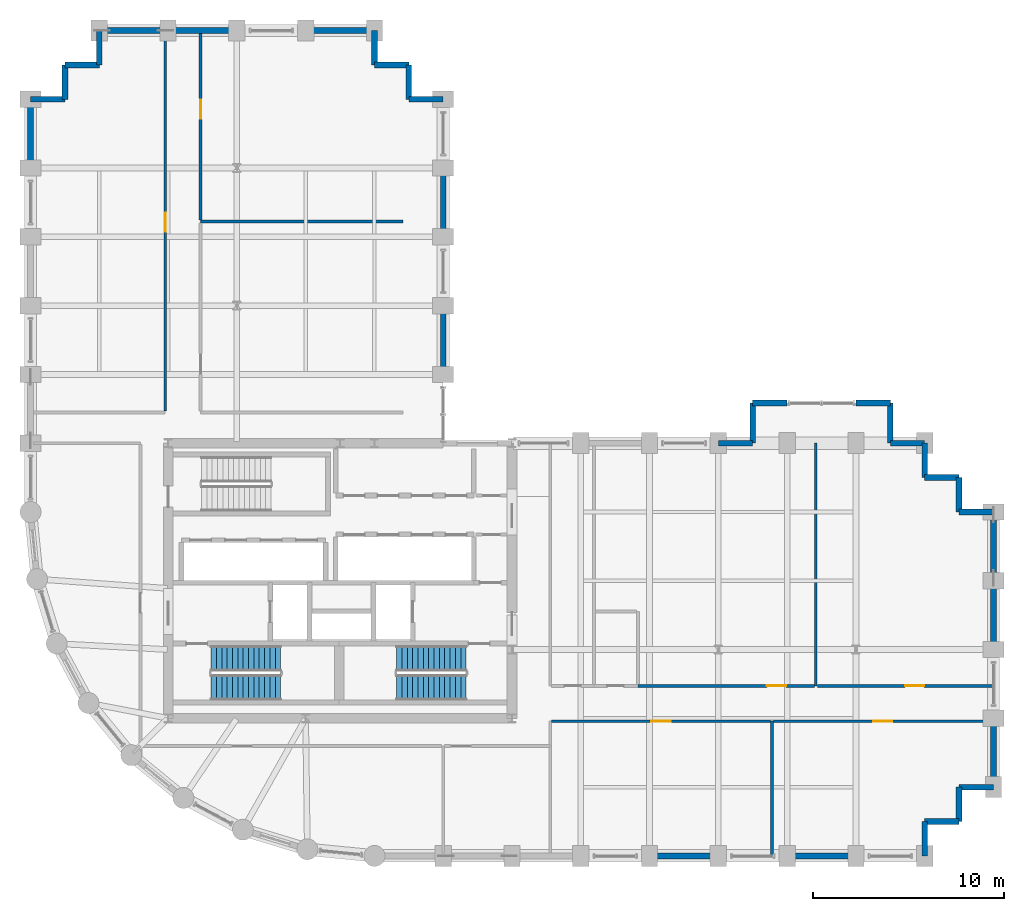
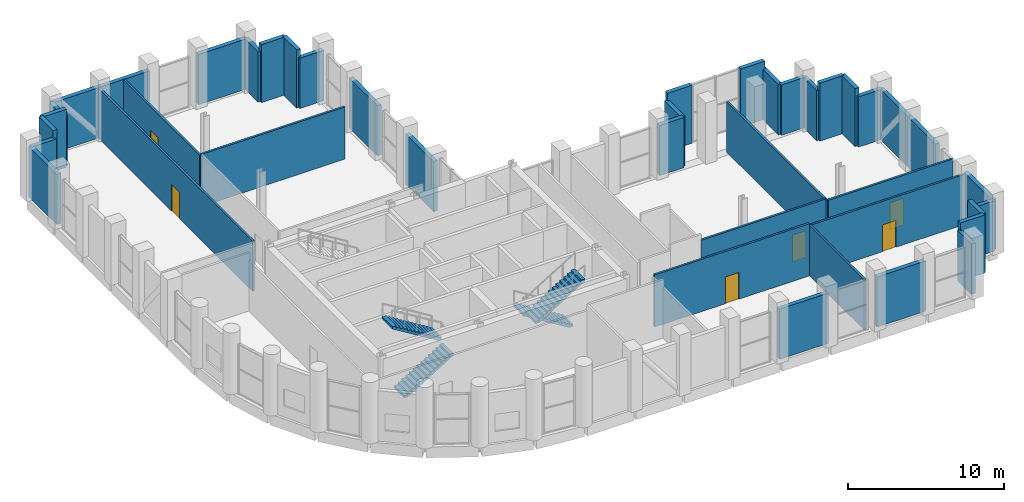
# One storey, part 20 of 22: 42 walls, 6 doors, 4 stair flights, 6 openings, 2 elements without a shape of their own.
"""IFC4 building model written with IfcOpenShell, lengths in metres."""

from ifc_helpers import new_model, si_unit, direction, frame, frame_2d, origin, place, context, subcontext, project, spatial, polyline, rectangle, outline, extrude, material, layer, layer_set, type_object, element, fill, aggregate, save


model = new_model("IFC4")

# Units and contexts
model_context = context("Model", 3, precision=1e-05, world=origin(), true_north=direction((0.0, 1.0)))
body_context = subcontext(model_context, "Body", "Model", "MODEL_VIEW")
ifc_project = project(units=[si_unit("LENGTHUNIT", "METRE"), si_unit("AREAUNIT", "SQUARE_METRE"), si_unit("VOLUMEUNIT", "CUBIC_METRE"), si_unit("PLANEANGLEUNIT", "RADIAN"), si_unit("MASSUNIT", "GRAM", prefix="KILO")], contexts=[model_context])

# Site, building, storey
site_placement = place(None, origin())
site = spatial("IfcSite", under=ifc_project, at=site_placement, CompositionType="ELEMENT")
building_placement = place(site_placement, origin())
building = spatial("IfcBuilding", under=site, at=building_placement, Name="Solnavia Interchange Tower", CompositionType="ELEMENT")
storey_placement = place(building_placement, frame((0.0, 0.0, 115.199951171875)))
storey = spatial("IfcBuildingStorey", under=building, at=storey_placement, Name="L28", CompositionType="ELEMENT", Elevation=115.199951171875)

# Walls
ifc_material_1 = material(Name="Concrete C40/50", Category="concrete")
ifc_layer_1 = layer(ifc_material_1, 0.300048828125)
ifc_layer_set_1 = layer_set([ifc_layer_1], Name="Concrete C40/50")
wall_type_1 = type_object("IfcWallType", Name="Wall-ExtSpandrel-300", PredefinedType="STANDARD", material=ifc_layer_set_1)
for number, where, z_axis, x_axis, name in (
    (1, (43.199951171875, 3.60009765625, 0.0), (0.0, 0.0, 1.0), (-1.0, 0.0, 0.0), "EXW-L28-05 Exterior precast spandrel wall"),
    (2, (50.39990234375, 3.60009765625, 0.0), (0.0, 0.0, 1.0), (-1.0, 0.0, 0.0), "EXW-L28-07 Exterior precast spandrel wall"),
):
    element("IfcWall", number, at=place(storey_placement, frame(where, z_axis=z_axis, x_axis=x_axis)), inside=storey, type_object=wall_type_1, Name=name, PredefinedType="STANDARD", context=body_context, shape_type="SweptSolid", body=[
        extrude(rectangle(XDim=3.599853515625, YDim=0.300048828125, at=frame_2d((1.7998046875, 0.0))), origin(), (0.0, 0.0, 1.0), 3.929931640625),
    ])
wall_1_placement = place(storey_placement, frame((54.0, 5.39990234375, 0.0), z_axis=(0.0, 0.0, 1.0), x_axis=(0.0, -1.0, 0.0)))
element("IfcWall", 3, at=wall_1_placement, inside=storey, type_object=wall_type_1, Name="EXW-L28-09 Exterior precast spandrel wall", PredefinedType="STANDARD", context=body_context, shape_type="SweptSolid", body=[
    extrude(rectangle(XDim=1.7998046875, YDim=0.300048828125, at=frame_2d((0.89990234375, 0.0))), origin(), (0.0, 0.0, 1.0), 3.929931640625),
])
for number, where, z_axis, x_axis, name in (
    (4, (55.800048828125, 5.39990234375, 0.0), (0.0, 0.0, 1.0), (-1.0, 0.0, 0.0), "EXW-L28-10 Exterior precast spandrel wall"),
    (5, (55.800048828125, 7.199951171875, 0.0), (0.0, 0.0, 1.0), (0.0, -1.0, 0.0), "EXW-L28-11 Exterior precast spandrel wall"),
):
    element("IfcWall", number, at=place(storey_placement, frame(where, z_axis=z_axis, x_axis=x_axis)), inside=storey, type_object=wall_type_1, Name=name, PredefinedType="STANDARD", context=body_context, shape_type="SweptSolid", body=[
        extrude(rectangle(XDim=1.800048828125, YDim=0.300048828125, at=frame_2d((0.89990234375, 0.0))), origin(), (0.0, 0.0, 1.0), 4.53515625),
    ])
wall_2_placement = place(storey_placement, frame((57.60009765625, 7.199951171875, 0.0), z_axis=(0.0, 0.0, 1.0), x_axis=(-1.0, 0.0, 0.0)))
element("IfcWall", 6, at=wall_2_placement, inside=storey, type_object=wall_type_1, Name="EXW-L28-12 Exterior precast spandrel wall", PredefinedType="STANDARD", context=body_context, shape_type="SweptSolid", body=[
    extrude(rectangle(XDim=1.800048828125, YDim=0.300048828125, at=frame_2d((0.89990234375, 0.0))), origin(), (0.0, 0.0, 1.0), 3.929931640625),
])
for number, where, z_axis, x_axis, name in (
    (7, (57.60009765625, 10.800048828125, 0.0), (0.0, 0.0, 1.0), (0.0, -1.0, 0.0), "EXW-L28-13 Exterior precast spandrel wall"),
    (8, (57.60009765625, 18.0, 0.0), (0.0, 0.0, 1.0), (0.0, -1.0, 0.0), "EXW-L28-15 Exterior precast spandrel wall"),
    (9, (57.60009765625, 21.60009765625, 0.0), (0.0, 0.0, 1.0), (0.0, -1.0, 0.0), "EXW-L28-16 Exterior precast spandrel wall"),
):
    element("IfcWall", number, at=place(storey_placement, frame(where, z_axis=z_axis, x_axis=x_axis)), inside=storey, type_object=wall_type_1, Name=name, PredefinedType="STANDARD", context=body_context, shape_type="SweptSolid", body=[
        extrude(rectangle(XDim=3.60009765625, YDim=0.300048828125, at=frame_2d((1.800048828125, 0.0))), origin(), (0.0, 0.0, 1.0), 3.929931640625),
    ])
wall_3_placement = place(storey_placement, frame((55.800048828125, 21.60009765625, 0.0), z_axis=(0.0, 0.0, 1.0), x_axis=(1.0, 0.0, 0.0)))
element("IfcWall", 10, at=wall_3_placement, inside=storey, type_object=wall_type_1, Name="EXW-L28-17 Exterior precast spandrel wall", PredefinedType="STANDARD", context=body_context, shape_type="SweptSolid", body=[
    extrude(rectangle(XDim=1.800048828125, YDim=0.300048828125, at=frame_2d((0.89990234375, 0.0))), origin(), (0.0, 0.0, 1.0), 3.929931640625),
])
wall_4_placement = place(storey_placement, frame((55.800048828125, 23.39990234375, 0.0), z_axis=(0.0, 0.0, 1.0), x_axis=(0.0, -1.0, 0.0)))
element("IfcWall", 11, at=wall_4_placement, inside=storey, type_object=wall_type_1, Name="EXW-L28-18 Exterior precast spandrel wall", PredefinedType="STANDARD", context=body_context, shape_type="SweptSolid", body=[
    extrude(rectangle(XDim=1.7998046875, YDim=0.300048828125, at=frame_2d((0.89990234375, 0.0))), origin(), (0.0, 0.0, 1.0), 4.53515625),
])
wall_5_placement = place(storey_placement, frame((54.0, 23.39990234375, 0.0), z_axis=(0.0, 0.0, 1.0), x_axis=(1.0, 0.0, 0.0)))
element("IfcWall", 12, at=wall_5_placement, inside=storey, type_object=wall_type_1, Name="EXW-L28-19 Exterior precast spandrel wall", PredefinedType="STANDARD", context=body_context, shape_type="SweptSolid", body=[
    extrude(rectangle(XDim=1.800048828125, YDim=0.300048828125, at=frame_2d((0.89990234375, 0.0))), origin(), (0.0, 0.0, 1.0), 4.53515625),
])
for number, where, z_axis, x_axis, name in (
    (13, (54.0, 25.199951171875, 0.0), (0.0, 0.0, 1.0), (0.0, -1.0, 0.0), "EXW-L28-20 Exterior precast spandrel wall"),
    (14, (52.199951171875, 25.199951171875, 0.0), (0.0, 0.0, 1.0), (1.0, 0.0, 0.0), "EXW-L28-21 Exterior precast spandrel wall"),
):
    element("IfcWall", number, at=place(storey_placement, frame(where, z_axis=z_axis, x_axis=x_axis)), inside=storey, type_object=wall_type_1, Name=name, PredefinedType="STANDARD", context=body_context, shape_type="SweptSolid", body=[
        extrude(rectangle(XDim=1.800048828125, YDim=0.300048828125, at=frame_2d((0.89990234375, 0.0))), origin(), (0.0, 0.0, 1.0), 3.929931640625),
    ])
wall_6_placement = place(storey_placement, frame((52.199951171875, 27.300048828125, 0.0), z_axis=(0.0, 0.0, 1.0), x_axis=(0.0, -1.0, 0.0)))
element("IfcWall", 15, at=wall_6_placement, inside=storey, type_object=wall_type_1, Name="EXW-L28-22 Exterior precast spandrel wall", PredefinedType="STANDARD", context=body_context, shape_type="SweptSolid", body=[
    extrude(rectangle(XDim=2.10009765625, YDim=0.300048828125, at=frame_2d((1.050048828125, 0.0))), origin(), (0.0, 0.0, 1.0), 3.929931640625),
])
for number, where, z_axis, x_axis, name in (
    (16, (50.39990234375, 27.300048828125, 0.0), (0.0, 0.0, 1.0), (1.0, 0.0, 0.0), "EXW-L28-23 Exterior precast spandrel wall"),
    (17, (45.0, 27.300048828125, 0.0), (0.0, 0.0, 1.0), (1.0, 0.0, 0.0), "EXW-L28-25 Exterior precast spandrel wall"),
):
    element("IfcWall", number, at=place(storey_placement, frame(where, z_axis=z_axis, x_axis=x_axis)), inside=storey, type_object=wall_type_1, Name=name, PredefinedType="STANDARD", context=body_context, shape_type="SweptSolid", body=[
        extrude(rectangle(XDim=1.800048828125, YDim=0.300048828125, at=frame_2d((0.89990234375, 0.0))), origin(), (0.0, 0.0, 1.0), 4.53515625),
    ])
wall_7_placement = place(storey_placement, frame((45.0, 27.300048828125, 0.0), z_axis=(0.0, 0.0, 1.0), x_axis=(0.0, -1.0, 0.0)))
element("IfcWall", 18, at=wall_7_placement, inside=storey, type_object=wall_type_1, Name="EXW-L28-26 Exterior precast spandrel wall", PredefinedType="STANDARD", context=body_context, shape_type="SweptSolid", body=[
    extrude(rectangle(XDim=2.10009765625, YDim=0.300048828125, at=frame_2d((1.050048828125, 0.0))), origin(), (0.0, 0.0, 1.0), 3.929931640625),
])
wall_8_placement = place(storey_placement, frame((43.199951171875, 25.199951171875, 0.0), z_axis=(0.0, 0.0, 1.0), x_axis=(1.0, 0.0, 0.0)))
element("IfcWall", 19, at=wall_8_placement, inside=storey, type_object=wall_type_1, Name="EXW-L28-27 Exterior precast spandrel wall", PredefinedType="STANDARD", context=body_context, shape_type="SweptSolid", body=[
    extrude(rectangle(XDim=1.800048828125, YDim=0.300048828125, at=frame_2d((0.89990234375, 0.0))), origin(), (0.0, 0.0, 1.0), 3.929931640625),
])
wall_9_placement = place(storey_placement, frame((28.800048828125, 28.800048828125, 0.0), z_axis=(0.0, 0.0, 1.0), x_axis=(0.0, 1.0, 0.0)))
element("IfcWall", 20, at=wall_9_placement, inside=storey, type_object=wall_type_1, Name="EXW-L28-33 Exterior precast spandrel wall", PredefinedType="STANDARD", context=body_context, shape_type="SweptSolid", body=[
    extrude(rectangle(XDim=3.599853515625, YDim=0.300048828125, at=frame_2d((1.7998046875, 0.0))), origin(), (0.0, 0.0, 1.0), 3.929931640625),
])
wall_10_placement = place(storey_placement, frame((28.800048828125, 36.0, 0.0), z_axis=(0.0, 0.0, 1.0), x_axis=(0.0, 1.0, 0.0)))
element("IfcWall", 21, at=wall_10_placement, inside=storey, type_object=wall_type_1, Name="EXW-L28-35 Exterior precast spandrel wall", PredefinedType="STANDARD", context=body_context, shape_type="SweptSolid", body=[
    extrude(rectangle(XDim=3.60009765625, YDim=0.300048828125, at=frame_2d((1.800048828125, 0.0))), origin(), (0.0, 0.0, 1.0), 3.929931640625),
])
wall_11_placement = place(storey_placement, frame((27.0, 43.199951171875, 0.0), z_axis=(0.0, 0.0, 1.0), x_axis=(1.0, 0.0, 0.0)))
element("IfcWall", 22, at=wall_11_placement, inside=storey, type_object=wall_type_1, Name="EXW-L28-37 Exterior precast spandrel wall", PredefinedType="STANDARD", context=body_context, shape_type="SweptSolid", body=[
    extrude(rectangle(XDim=1.800048828125, YDim=0.300048828125, at=frame_2d((0.89990234375, 0.0))), origin(), (0.0, 0.0, 1.0), 3.929931640625),
])
for number, where, z_axis, x_axis, name in (
    (23, (27.0, 43.199951171875, 0.0), (0.0, 0.0, 1.0), (0.0, 1.0, 0.0), "EXW-L28-38 Exterior precast spandrel wall"),
    (24, (25.199951171875, 45.0, 0.0), (0.0, 0.0, 1.0), (1.0, 0.0, 0.0), "EXW-L28-39 Exterior precast spandrel wall"),
):
    element("IfcWall", number, at=place(storey_placement, frame(where, z_axis=z_axis, x_axis=x_axis)), inside=storey, type_object=wall_type_1, Name=name, PredefinedType="STANDARD", context=body_context, shape_type="SweptSolid", body=[
        extrude(rectangle(XDim=1.800048828125, YDim=0.300048828125, at=frame_2d((0.89990234375, 0.0))), origin(), (0.0, 0.0, 1.0), 4.53515625),
    ])
wall_12_placement = place(storey_placement, frame((25.199951171875, 45.0, 0.0), z_axis=(0.0, 0.0, 1.0), x_axis=(0.0, 1.0, 0.0)))
element("IfcWall", 25, at=wall_12_placement, inside=storey, type_object=wall_type_1, Name="EXW-L28-40 Exterior precast spandrel wall", PredefinedType="STANDARD", context=body_context, shape_type="SweptSolid", body=[
    extrude(rectangle(XDim=1.800048828125, YDim=0.300048828125, at=frame_2d((0.89990234375, 0.0))), origin(), (0.0, 0.0, 1.0), 3.929931640625),
])
wall_13_placement = place(storey_placement, frame((21.60009765625, 46.800048828125, 0.0), z_axis=(0.0, 0.0, 1.0), x_axis=(1.0, 0.0, 0.0)))
element("IfcWall", 26, at=wall_13_placement, inside=storey, type_object=wall_type_1, Name="EXW-L28-41 Exterior precast spandrel wall", PredefinedType="STANDARD", context=body_context, shape_type="SweptSolid", body=[
    extrude(rectangle(XDim=3.599853515625, YDim=0.300048828125, at=frame_2d((1.7998046875, 0.0))), origin(), (0.0, 0.0, 1.0), 3.929931640625),
])
wall_14_placement = place(storey_placement, frame((14.39990234375, 46.800048828125, 0.0), z_axis=(0.0, 0.0, 1.0), x_axis=(1.0, 0.0, 0.0)))
element("IfcWall", 27, at=wall_14_placement, inside=storey, type_object=wall_type_1, Name="EXW-L28-43 Exterior precast spandrel wall", PredefinedType="STANDARD", context=body_context, shape_type="SweptSolid", body=[
    extrude(rectangle(XDim=3.60009765625, YDim=0.300048828125, at=frame_2d((1.800048828125, 0.0))), origin(), (0.0, 0.0, 1.0), 3.929931640625),
])
wall_15_placement = place(storey_placement, frame((10.800048828125, 46.800048828125, 0.0), z_axis=(0.0, 0.0, 1.0), x_axis=(1.0, 0.0, 0.0)))
element("IfcWall", 28, at=wall_15_placement, inside=storey, type_object=wall_type_1, Name="EXW-L28-44 Exterior precast spandrel wall", PredefinedType="STANDARD", context=body_context, shape_type="SweptSolid", body=[
    extrude(rectangle(XDim=3.599853515625, YDim=0.300048828125, at=frame_2d((1.7998046875, 0.0))), origin(), (0.0, 0.0, 1.0), 3.929931640625),
])
wall_16_placement = place(storey_placement, frame((10.800048828125, 45.0, 0.0), z_axis=(0.0, 0.0, 1.0), x_axis=(0.0, 1.0, 0.0)))
element("IfcWall", 29, at=wall_16_placement, inside=storey, type_object=wall_type_1, Name="EXW-L28-45 Exterior precast spandrel wall", PredefinedType="STANDARD", context=body_context, shape_type="SweptSolid", body=[
    extrude(rectangle(XDim=1.800048828125, YDim=0.300048828125, at=frame_2d((0.89990234375, 0.0))), origin(), (0.0, 0.0, 1.0), 3.929931640625),
])
for number, where, z_axis, x_axis, name in (
    (30, (9.0, 45.0, 0.0), (0.0, 0.0, 1.0), (1.0, 0.0, 0.0), "EXW-L28-46 Exterior precast spandrel wall"),
    (31, (9.0, 43.199951171875, 0.0), (0.0, 0.0, 1.0), (0.0, 1.0, 0.0), "EXW-L28-47 Exterior precast spandrel wall"),
):
    element("IfcWall", number, at=place(storey_placement, frame(where, z_axis=z_axis, x_axis=x_axis)), inside=storey, type_object=wall_type_1, Name=name, PredefinedType="STANDARD", context=body_context, shape_type="SweptSolid", body=[
        extrude(rectangle(XDim=1.800048828125, YDim=0.300048828125, at=frame_2d((0.89990234375, 0.0))), origin(), (0.0, 0.0, 1.0), 4.53515625),
    ])
wall_17_placement = place(storey_placement, frame((7.199951171875, 43.199951171875, 0.0), z_axis=(0.0, 0.0, 1.0), x_axis=(1.0, 0.0, 0.0)))
element("IfcWall", 32, at=wall_17_placement, inside=storey, type_object=wall_type_1, Name="EXW-L28-48 Exterior precast spandrel wall", PredefinedType="STANDARD", context=body_context, shape_type="SweptSolid", body=[
    extrude(rectangle(XDim=1.800048828125, YDim=0.300048828125, at=frame_2d((0.89990234375, 0.0))), origin(), (0.0, 0.0, 1.0), 3.929931640625),
])
wall_18_placement = place(storey_placement, frame((7.199951171875, 39.60009765625, 0.0), z_axis=(0.0, 0.0, 1.0), x_axis=(0.0, 1.0, 0.0)))
element("IfcWall", 33, at=wall_18_placement, inside=storey, type_object=wall_type_1, Name="EXW-L28-49 Exterior precast spandrel wall", PredefinedType="STANDARD", context=body_context, shape_type="SweptSolid", body=[
    extrude(rectangle(XDim=3.599853515625, YDim=0.300048828125, at=frame_2d((1.7998046875, 0.0))), origin(), (0.0, 0.0, 1.0), 3.929931640625),
])
ifc_material_2 = material(Name="Gypsum Plasterboard & Steel Stud", Category="steel")
ifc_layer_2 = layer(ifc_material_2, 0.14990234375)
ifc_layer_set_2 = layer_set([ifc_layer_2], Name="Gypsum Plasterboard & Steel Stud")
wall_type_2 = type_object("IfcWallType", Name="Wall-Partition-150", PredefinedType="PARTITIONING", material=ifc_layer_set_2)
wall_19_placement = place(storey_placement, frame((46.0, 3.60009765625, 0.0), z_axis=(0.0, 0.0, 1.0), x_axis=(0.0, 1.0, 0.0)))
element("IfcWall", 34, at=wall_19_placement, inside=storey, type_object=wall_type_2, Name="PTW-L28-14 Interior partition wall", PredefinedType="PARTITIONING", context=body_context, shape_type="SweptSolid", body=[
    extrude(rectangle(XDim=7.0498046875, YDim=0.14990234375, at=frame_2d((3.52490234375, 0.0))), origin(), (0.0, 0.0, 1.0), 3.929931640625),
])

# Wall, opening, door
wall_20_placement = place(storey_placement, frame((34.47900390625, 10.64990234375, 0.0), z_axis=(0.0, 0.0, 1.0), x_axis=(1.0, 0.0, 0.0)))
wall_20 = element("IfcWall", 35, at=wall_20_placement, inside=storey, type_object=wall_type_2, Name="PTW-L28-15 Interior partition wall", PredefinedType="PARTITIONING", context=body_context, shape_type="SweptSolid", body=[
    extrude(rectangle(XDim=11.44189453125, YDim=0.14990234375, at=frame_2d((5.720947265625, 0.0))), origin(), (0.0, 0.0, 1.0), 4.080078125),
])
opening_1_placement = place(wall_20_placement, frame((5.220947265625, 0.0, 0.0)))
opening_1 = element("IfcOpeningElement", 36, at=opening_1_placement, cuts=wall_20, Name="Opening DR-07", PredefinedType="OPENING", context=body_context, shape_type="SweptSolid", body=[
    extrude(rectangle(XDim=1.0, YDim=2.10009765625, at=frame_2d((0.5, 1.050048828125))), frame((0.0, 0.0849609375, 0.0), z_axis=(0.0, -1.0, 0.0), x_axis=(1.0, 0.0, 0.0)), (0.0, 0.0, 1.0), 0.169921875),
])
ifc_material_3 = material(Name="Timber & Acoustic Glazed Office Door", Category="wood")
door_type = type_object("IfcDoorType", Name="Door-Office-1000x2100", OperationType="SINGLE_SWING_RIGHT", PredefinedType="DOOR", material=ifc_material_3)
door_1_placement = place(opening_1_placement, origin())
door_1 = element("IfcDoor", 37, at=door_1_placement, inside=storey, type_object=door_type, Name="DR-L28-06 Interior room door", OperationType="SINGLE_SWING_RIGHT", OverallHeight=2.10009765625, OverallWidth=1.0, PredefinedType="DOOR", context=body_context, shape_type="SweptSolid", body=[
    extrude(rectangle(XDim=1.0, YDim=2.10009765625, at=frame_2d((0.5, 1.050048828125))), frame((0.0, 0.02490234375, 0.0), z_axis=(0.0, -1.0, 0.0), x_axis=(1.0, 0.0, 0.0)), (0.0, 0.0, 1.0), 0.050048828125),
])
fill(opening_1, door_1)

wall_21_placement = place(storey_placement, frame((46.0791015625, 10.64990234375, 0.0), z_axis=(0.0, 0.0, 1.0), x_axis=(1.0, 0.0, 0.0)))
wall_21 = element("IfcWall", 38, at=wall_21_placement, inside=storey, type_object=wall_type_2, Name="PTW-L28-16 Interior partition wall", PredefinedType="PARTITIONING", context=body_context, shape_type="SweptSolid", body=[
    extrude(rectangle(XDim=11.366943359375, YDim=0.14990234375, at=frame_2d((5.68359375, 0.0))), origin(), (0.0, 0.0, 1.0), 3.929931640625),
])
opening_2_placement = place(wall_21_placement, frame((5.220947265625, 0.0, 0.0)))
opening_2 = element("IfcOpeningElement", 39, at=opening_2_placement, cuts=wall_21, Name="Opening DR-07", PredefinedType="OPENING", context=body_context, shape_type="SweptSolid", body=[
    extrude(rectangle(XDim=1.0, YDim=2.10009765625, at=frame_2d((0.5, 1.050048828125))), frame((0.0, 0.0849609375, 0.0), z_axis=(0.0, -1.0, 0.0), x_axis=(1.0, 0.0, 0.0)), (0.0, 0.0, 1.0), 0.169921875),
])
door_2_placement = place(opening_2_placement, origin())
door_2 = element("IfcDoor", 40, at=door_2_placement, inside=storey, type_object=door_type, Name="DR-L28-07 Interior room door", OperationType="SINGLE_SWING_RIGHT", OverallHeight=2.10009765625, OverallWidth=1.0, PredefinedType="DOOR", context=body_context, shape_type="SweptSolid", body=[
    extrude(rectangle(XDim=1.0, YDim=2.10009765625, at=frame_2d((0.5, 1.050048828125))), frame((0.0, 0.02490234375, 0.0), z_axis=(0.0, -1.0, 0.0), x_axis=(1.0, 0.0, 0.0)), (0.0, 0.0, 1.0), 0.050048828125),
])
fill(opening_2, door_2)

# Wall
wall_22_placement = place(storey_placement, frame((48.300048828125, 12.5, 0.0), z_axis=(0.0, 0.0, 1.0), x_axis=(0.0, 1.0, 0.0)))
element("IfcWall", 41, at=wall_22_placement, inside=storey, type_object=wall_type_2, Name="PTW-L28-17 Interior partition wall", PredefinedType="PARTITIONING", context=body_context, shape_type="SweptSolid", body=[
    extrude(rectangle(XDim=12.699951171875, YDim=0.14990234375, at=frame_2d((6.35009765625, 0.0))), origin(), (0.0, 0.0, 1.0), 3.929931640625),
])

# Wall, opening, door
wall_23_placement = place(storey_placement, frame((39.0, 12.5, 0.0), z_axis=(0.0, 0.0, 1.0), x_axis=(1.0, 0.0, 0.0)))
wall_23 = element("IfcWall", 42, at=wall_23_placement, inside=storey, type_object=wall_type_2, Name="PTW-L28-18 Interior partition wall", PredefinedType="PARTITIONING", context=body_context, shape_type="SweptSolid", body=[
    extrude(rectangle(XDim=9.220947265625, YDim=0.14990234375, at=frame_2d((4.6103515625, 0.0))), origin(), (0.0, 0.0, 1.0), 4.090087890625),
])
opening_3_placement = place(wall_23_placement, frame((6.742919921875, 0.0, 0.0)))
opening_3 = element("IfcOpeningElement", 43, at=opening_3_placement, cuts=wall_23, Name="Opening DR-07", PredefinedType="OPENING", context=body_context, shape_type="SweptSolid", body=[
    extrude(rectangle(XDim=1.0, YDim=2.10009765625, at=frame_2d((0.5, 1.050048828125))), frame((0.0, 0.0849609375, 0.0), z_axis=(0.0, -1.0, 0.0), x_axis=(1.0, 0.0, 0.0)), (0.0, 0.0, 1.0), 0.169921875),
])
door_3_placement = place(opening_3_placement, origin())
door_3 = element("IfcDoor", 44, at=door_3_placement, inside=storey, type_object=door_type, Name="DR-L28-08 Interior room door", OperationType="SINGLE_SWING_RIGHT", OverallHeight=2.10009765625, OverallWidth=1.0, PredefinedType="DOOR", context=body_context, shape_type="SweptSolid", body=[
    extrude(rectangle(XDim=1.0, YDim=2.10009765625, at=frame_2d((0.5, 1.050048828125))), frame((0.0, 0.02490234375, 0.0), z_axis=(0.0, -1.0, 0.0), x_axis=(1.0, 0.0, 0.0)), (0.0, 0.0, 1.0), 0.050048828125),
])
fill(opening_3, door_3)

wall_24_placement = place(storey_placement, frame((48.37890625, 12.5, 0.0), z_axis=(0.0, 0.0, 1.0), x_axis=(1.0, 0.0, 0.0)))
wall_24 = element("IfcWall", 45, at=wall_24_placement, inside=storey, type_object=wall_type_2, Name="PTW-L28-19 Interior partition wall", PredefinedType="PARTITIONING", context=body_context, shape_type="SweptSolid", body=[
    extrude(rectangle(XDim=9.22119140625, YDim=0.14990234375, at=frame_2d((4.610595703125, 0.0))), origin(), (0.0, 0.0, 1.0), 3.929931640625),
])
opening_4_placement = place(wall_24_placement, frame((4.590087890625, 0.0, 0.0)))
opening_4 = element("IfcOpeningElement", 46, at=opening_4_placement, cuts=wall_24, Name="Opening DR-07", PredefinedType="OPENING", context=body_context, shape_type="SweptSolid", body=[
    extrude(rectangle(XDim=1.0, YDim=2.10009765625, at=frame_2d((0.5, 1.050048828125))), frame((0.0, 0.0849609375, 0.0), z_axis=(0.0, -1.0, 0.0), x_axis=(1.0, 0.0, 0.0)), (0.0, 0.0, 1.0), 0.169921875),
])
door_4_placement = place(opening_4_placement, origin())
door_4 = element("IfcDoor", 47, at=door_4_placement, inside=storey, type_object=door_type, Name="DR-L28-09 Interior room door", OperationType="SINGLE_SWING_RIGHT", OverallHeight=2.10009765625, OverallWidth=1.0, PredefinedType="DOOR", context=body_context, shape_type="SweptSolid", body=[
    extrude(rectangle(XDim=1.0, YDim=2.10009765625, at=frame_2d((0.5, 1.050048828125))), frame((0.0, 0.02490234375, 0.0), z_axis=(0.0, -1.0, 0.0), x_axis=(1.0, 0.0, 0.0)), (0.0, 0.0, 1.0), 0.050048828125),
])
fill(opening_4, door_4)

wall_25_placement = place(storey_placement, frame((14.25, 26.87890625, 0.0), z_axis=(0.0, 0.0, 1.0), x_axis=(0.0, 1.0, 0.0)))
wall_25 = element("IfcWall", 48, at=wall_25_placement, inside=storey, type_object=wall_type_2, Name="PTW-L28-21 Interior partition wall", PredefinedType="PARTITIONING", context=body_context, shape_type="SweptSolid", body=[
    extrude(rectangle(XDim=19.76708984375, YDim=0.14990234375, at=frame_2d((9.883544921875, 0.0))), origin(), (0.0, 0.0, 1.0), 3.929931640625),
])
opening_5_placement = place(wall_25_placement, frame((9.381103515625, 0.0, 0.0)))
opening_5 = element("IfcOpeningElement", 49, at=opening_5_placement, cuts=wall_25, Name="Opening DR-07", PredefinedType="OPENING", context=body_context, shape_type="SweptSolid", body=[
    extrude(rectangle(XDim=1.0, YDim=2.10009765625, at=frame_2d((0.5, 1.050048828125))), frame((0.0, 0.0849609375, 0.0), z_axis=(0.0, -1.0, 0.0), x_axis=(1.0, 0.0, 0.0)), (0.0, 0.0, 1.0), 0.169921875),
])
door_5_placement = place(opening_5_placement, origin())
door_5 = element("IfcDoor", 50, at=door_5_placement, inside=storey, type_object=door_type, Name="DR-L28-10 Interior room door", OperationType="SINGLE_SWING_RIGHT", OverallHeight=2.10009765625, OverallWidth=1.0, PredefinedType="DOOR", context=body_context, shape_type="SweptSolid", body=[
    extrude(rectangle(XDim=1.0, YDim=2.10009765625, at=frame_2d((0.5, 1.050048828125))), frame((0.0, 0.02490234375, 0.0), z_axis=(0.0, -1.0, 0.0), x_axis=(1.0, 0.0, 0.0)), (0.0, 0.0, 1.0), 0.050048828125),
])
fill(opening_5, door_5)

# Wall
wall_26_placement = place(storey_placement, frame((16.10009765625, 36.800048828125, 0.0), z_axis=(0.0, 0.0, 1.0), x_axis=(1.0, 0.0, 0.0)))
element("IfcWall", 51, at=wall_26_placement, inside=storey, type_object=wall_type_2, Name="PTW-L28-23 Interior partition wall", PredefinedType="PARTITIONING", context=body_context, shape_type="SweptSolid", body=[
    extrude(rectangle(XDim=10.599853515625, YDim=0.14990234375, at=frame_2d((5.2998046875, 0.0))), origin(), (0.0, 0.0, 1.0), 4.080078125),
])

# Wall, opening, door
wall_27_placement = place(storey_placement, frame((16.10009765625, 36.87890625, 0.0), z_axis=(0.0, 0.0, 1.0), x_axis=(0.0, 1.0, 0.0)))
wall_27 = element("IfcWall", 52, at=wall_27_placement, inside=storey, type_object=wall_type_2, Name="PTW-L28-25 Interior partition wall", PredefinedType="PARTITIONING", context=body_context, shape_type="SweptSolid", body=[
    extrude(rectangle(XDim=9.76708984375, YDim=0.14990234375, at=frame_2d((4.883544921875, 0.0))), origin(), (0.0, 0.0, 1.0), 3.929931640625),
])
opening_6_placement = place(wall_27_placement, frame((5.297119140625, 0.0, 0.0)))
opening_6 = element("IfcOpeningElement", 53, at=opening_6_placement, cuts=wall_27, Name="Opening DR-07", PredefinedType="OPENING", context=body_context, shape_type="SweptSolid", body=[
    extrude(rectangle(XDim=1.0, YDim=2.10009765625, at=frame_2d((0.5, 1.050048828125))), frame((0.0, 0.0849609375, 0.0), z_axis=(0.0, -1.0, 0.0), x_axis=(1.0, 0.0, 0.0)), (0.0, 0.0, 1.0), 0.169921875),
])
door_6_placement = place(opening_6_placement, origin())
door_6 = element("IfcDoor", 54, at=door_6_placement, inside=storey, type_object=door_type, Name="DR-L28-12 Interior room door", OperationType="SINGLE_SWING_LEFT", OverallHeight=2.10009765625, OverallWidth=1.0, PredefinedType="DOOR", context=body_context, shape_type="SweptSolid", body=[
    extrude(rectangle(XDim=1.0, YDim=2.10009765625, at=frame_2d((0.5, 1.050048828125))), frame((0.0, 0.02490234375, 0.0), z_axis=(0.0, -1.0, 0.0), x_axis=(1.0, 0.0, 0.0)), (0.0, 0.0, 1.0), 0.050048828125),
])
fill(opening_6, door_6)

# Stair, stair flights
stair_type = type_object("IfcStairType", Name="Stair-Dogleg-RC", PredefinedType="HALF_TURN_STAIR", material=ifc_material_1)
stair_1_placement = place(storey_placement, origin())
stair_1 = element("IfcStair", 55, at=stair_1_placement, inside=storey, type_object=stair_type, Name="L28 Core exit stair 1", PredefinedType="HALF_TURN_STAIR")
stair_flight_type = type_object("IfcStairFlightType", Name="StairFlight-RC-150", PredefinedType="STRAIGHT", material=ifc_material_1)
stair_flight_1_placement = place(storey_placement, frame((16.64990234375, 12.409912109375, 0.0), z_axis=(0.0, 0.0, 1.0), x_axis=(1.0, 0.0, 0.0)))
stair_flight_1 = element("IfcStairFlight", 56, at=stair_flight_1_placement, type_object=stair_flight_type, Name="ST-1 flight 1", NumberOfRisers=14, NumberOfTreads=13, PredefinedType="STRAIGHT", RiserHeight=0.171428571, TreadLength=0.28, context=body_context, shape_type="SweptSolid", body=[
    extrude(outline(polyline([(0.0, 0.0), (0.0, 0.17138671875), (0.280029296875, 0.17138671875), (0.280029296875, 0.3427734375), (0.56005859375, 0.3427734375), (0.56005859375, 0.514404296875), (0.840087890625, 0.514404296875), (0.840087890625, 0.685791015625), (1.1201171875, 0.685791015625), (1.1201171875, 0.857177734375), (1.39990234375, 0.857177734375), (1.39990234375, 1.028564453125), (1.679931640625, 1.028564453125), (1.679931640625, 1.199951171875), (1.9599609375, 1.199951171875), (1.9599609375, 1.371337890625), (2.239990234375, 1.371337890625), (2.239990234375, 1.54296875), (2.52001953125, 1.54296875), (2.52001953125, 1.71435546875), (2.800048828125, 1.71435546875), (2.800048828125, 1.8857421875), (3.080078125, 1.8857421875), (3.080078125, 2.05712890625), (3.360107421875, 2.05712890625), (3.360107421875, 2.228515625), (3.639892578125, 2.228515625), (3.639892578125, 2.39990234375), (3.639892578125, 2.052734375), (0.287109375, 0.0), (0.0, 0.0)])), frame((0.0, 0.66015625, 0.0), z_axis=(0.0, -1.0, 0.0), x_axis=(1.0, 0.0, 0.0)), (0.0, 0.0, 1.0), 1.320068359375),
])
stair_flight_2_placement = place(storey_placement, frame((20.2900390625, 13.929931640625, 2.400146484375), z_axis=(0.0, 0.0, 1.0), x_axis=(-1.0, 0.0, 0.0)))
stair_flight_2 = element("IfcStairFlight", 57, at=stair_flight_2_placement, type_object=stair_flight_type, Name="ST-1 flight 2", NumberOfRisers=14, NumberOfTreads=13, PredefinedType="STRAIGHT", RiserHeight=0.171428571, TreadLength=0.28, context=body_context, shape_type="SweptSolid", body=[
    extrude(outline(polyline([(0.0, 0.0), (0.0, 0.17138671875), (0.280029296875, 0.17138671875), (0.280029296875, 0.3427734375), (0.56005859375, 0.3427734375), (0.56005859375, 0.514404296875), (0.840087890625, 0.514404296875), (0.840087890625, 0.685791015625), (1.1201171875, 0.685791015625), (1.1201171875, 0.857177734375), (1.39990234375, 0.857177734375), (1.39990234375, 1.028564453125), (1.679931640625, 1.028564453125), (1.679931640625, 1.199951171875), (1.9599609375, 1.199951171875), (1.9599609375, 1.371337890625), (2.239990234375, 1.371337890625), (2.239990234375, 1.54296875), (2.52001953125, 1.54296875), (2.52001953125, 1.71435546875), (2.800048828125, 1.71435546875), (2.800048828125, 1.8857421875), (3.080078125, 1.8857421875), (3.080078125, 2.05712890625), (3.360107421875, 2.05712890625), (3.360107421875, 2.228515625), (3.639892578125, 2.228515625), (3.639892578125, 2.39990234375), (3.639892578125, 2.052734375), (0.287109375, 0.0), (0.0, 0.0)])), frame((0.0, 0.66015625, 0.0), z_axis=(0.0, -1.0, 0.0), x_axis=(1.0, 0.0, 0.0)), (0.0, 0.0, 1.0), 1.320068359375),
])
aggregate(stair_1, [stair_flight_1, stair_flight_2])

stair_2_placement = place(storey_placement, origin())
stair_2 = element("IfcStair", 58, at=stair_2_placement, inside=storey, type_object=stair_type, Name="L28 Core exit stair 2", PredefinedType="HALF_TURN_STAIR")
stair_flight_3_placement = place(storey_placement, frame((30.0, 13.929931640625, 0.0), z_axis=(0.0, 0.0, 1.0), x_axis=(-1.0, 0.0, 0.0)))
stair_flight_3 = element("IfcStairFlight", 59, at=stair_flight_3_placement, type_object=stair_flight_type, Name="ST-2 flight 1", NumberOfRisers=14, NumberOfTreads=13, PredefinedType="STRAIGHT", RiserHeight=0.171428571, TreadLength=0.28, context=body_context, shape_type="SweptSolid", body=[
    extrude(outline(polyline([(0.0, 0.0), (0.0, 0.17138671875), (0.280029296875, 0.17138671875), (0.280029296875, 0.3427734375), (0.56005859375, 0.3427734375), (0.56005859375, 0.514404296875), (0.840087890625, 0.514404296875), (0.840087890625, 0.685791015625), (1.1201171875, 0.685791015625), (1.1201171875, 0.857177734375), (1.39990234375, 0.857177734375), (1.39990234375, 1.028564453125), (1.679931640625, 1.028564453125), (1.679931640625, 1.199951171875), (1.9599609375, 1.199951171875), (1.9599609375, 1.371337890625), (2.239990234375, 1.371337890625), (2.239990234375, 1.54296875), (2.52001953125, 1.54296875), (2.52001953125, 1.71435546875), (2.800048828125, 1.71435546875), (2.800048828125, 1.8857421875), (3.080078125, 1.8857421875), (3.080078125, 2.05712890625), (3.360107421875, 2.05712890625), (3.360107421875, 2.228515625), (3.639892578125, 2.228515625), (3.639892578125, 2.39990234375), (3.639892578125, 2.052734375), (0.287109375, 0.0), (0.0, 0.0)])), frame((0.0, 0.66015625, 0.0), z_axis=(0.0, -1.0, 0.0), x_axis=(1.0, 0.0, 0.0)), (0.0, 0.0, 1.0), 1.320068359375),
])
stair_flight_4_placement = place(storey_placement, frame((26.360107421875, 12.409912109375, 2.400146484375), z_axis=(0.0, 0.0, 1.0), x_axis=(1.0, 0.0, 0.0)))
stair_flight_4 = element("IfcStairFlight", 60, at=stair_flight_4_placement, type_object=stair_flight_type, Name="ST-2 flight 2", NumberOfRisers=14, NumberOfTreads=13, PredefinedType="STRAIGHT", RiserHeight=0.171428571, TreadLength=0.28, context=body_context, shape_type="SweptSolid", body=[
    extrude(outline(polyline([(0.0, 0.0), (0.0, 0.17138671875), (0.280029296875, 0.17138671875), (0.280029296875, 0.3427734375), (0.56005859375, 0.3427734375), (0.56005859375, 0.514404296875), (0.840087890625, 0.514404296875), (0.840087890625, 0.685791015625), (1.1201171875, 0.685791015625), (1.1201171875, 0.857177734375), (1.39990234375, 0.857177734375), (1.39990234375, 1.028564453125), (1.679931640625, 1.028564453125), (1.679931640625, 1.199951171875), (1.9599609375, 1.199951171875), (1.9599609375, 1.371337890625), (2.239990234375, 1.371337890625), (2.239990234375, 1.54296875), (2.52001953125, 1.54296875), (2.52001953125, 1.71435546875), (2.800048828125, 1.71435546875), (2.800048828125, 1.8857421875), (3.080078125, 1.8857421875), (3.080078125, 2.05712890625), (3.360107421875, 2.05712890625), (3.360107421875, 2.228515625), (3.639892578125, 2.228515625), (3.639892578125, 2.39990234375), (3.639892578125, 2.052734375), (0.287109375, 0.0), (0.0, 0.0)])), frame((0.0, 0.66015625, 0.0), z_axis=(0.0, -1.0, 0.0), x_axis=(1.0, 0.0, 0.0)), (0.0, 0.0, 1.0), 1.320068359375),
])
aggregate(stair_2, [stair_flight_3, stair_flight_4])

save(model, "model.ifc")
